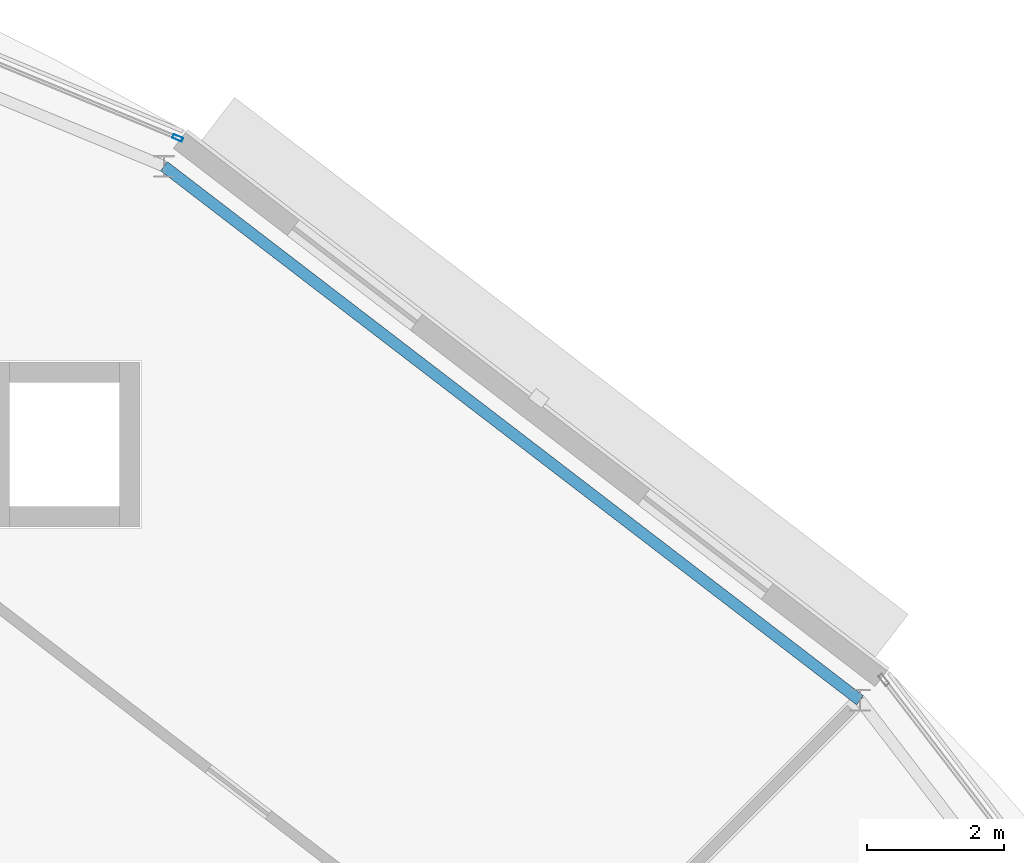
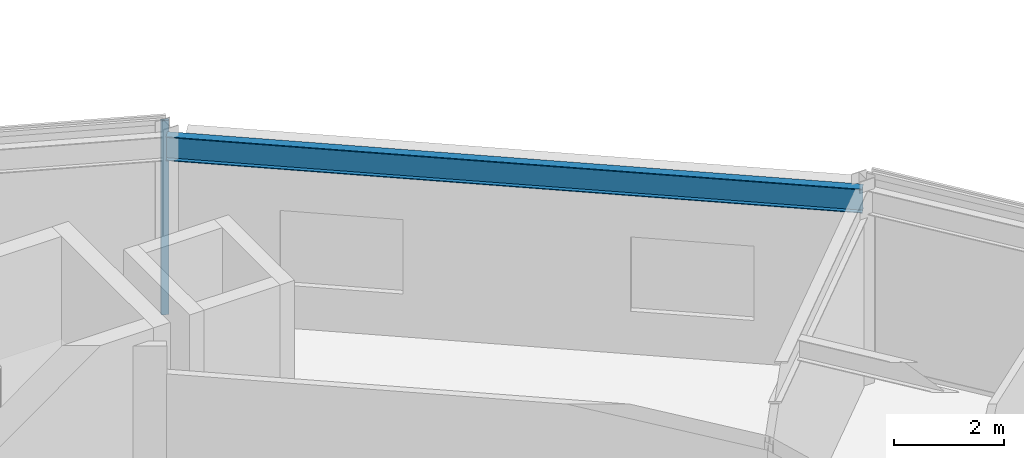
# One storey, part 43 of 89: 1 beam, 1 member, 1 element without a shape of its own.
"""IFC4 building model written with IfcOpenShell, lengths in metres."""

from ifc_helpers import new_model, si_unit, direction, frame, origin, origin_2d, place, context, subcontext, project, spatial, hollow_rectangle, i_section, extrude, material, material_profile, profile_set, type_object, element, aggregate, save


model = new_model("IFC4")

# Units and contexts
model_context = context("Model", 3, precision=1e-05, world=origin(), true_north=direction((0.0, 1.0)))
body_context = subcontext(model_context, "Body", "Model", "MODEL_VIEW")
ifc_project = project(units=[si_unit("LENGTHUNIT", "METRE"), si_unit("AREAUNIT", "SQUARE_METRE"), si_unit("VOLUMEUNIT", "CUBIC_METRE"), si_unit("PLANEANGLEUNIT", "RADIAN"), si_unit("MASSUNIT", "GRAM", prefix="KILO")], contexts=[model_context])

# Site, building, storey
site_placement = place(None, origin())
site = spatial("IfcSite", under=ifc_project, at=site_placement, CompositionType="ELEMENT")
building_placement = place(site_placement, origin())
building = spatial("IfcBuilding", under=site, at=building_placement, Name="Almandine Court Research Institute", CompositionType="ELEMENT")
storey_placement = place(building_placement, frame((0.0, 0.0, 18.89990234375)))
storey = spatial("IfcBuildingStorey", under=building, at=storey_placement, Name="L04", CompositionType="ELEMENT", Elevation=18.89990234375)

# Beam
ifc_material_1 = material(Name="Steel ASTM A992 Grade 50", Category="steel")
ifc_material_profile_1 = material_profile(ifc_material_1, i_section(OverallWidth=0.166015625, OverallDepth=0.534912109375, WebThickness=0.010009765625, FlangeThickness=0.01708984375, at=origin_2d()), Name="W530x85")
ifc_profile_set_1 = profile_set([ifc_material_profile_1], Name="Steel ASTM A992 Grade 50")
beam_type = type_object("IfcBeamType", Name="Beam-G-05-E", PredefinedType="SPANDREL", material=ifc_profile_set_1)
beam_placement = place(storey_placement, frame((121.577880859375, 90.577880859375, 4.041015625), z_axis=(-0.793360662587, 0.608751886289, 0.0), x_axis=(-0.608751886289, -0.793360662587, 0.0)))
element("IfcBeam", 1, at=beam_placement, inside=storey, type_object=beam_type, Name="L04 Drum OUT Ring Beam 03", PredefinedType="SPANDREL", context=body_context, shape_type="SweptSolid", body=[
    extrude(i_section(OverallWidth=0.166015625, OverallDepth=0.534912109375, WebThickness=0.010009765625, FlangeThickness=0.01708984375, at=origin_2d()), origin(), (0.0, 0.0, 1.0), 12.765869140625),
])

# Curtain wall, member
ifc_material_2 = material(Name="Unitised Curtain Wall Framing and Solar Glazing", Category="glass")
curtain_wall_type = type_object("IfcCurtainWallType", Name="CW-CWG-22", PredefinedType="USERDEFINED", material=ifc_material_2)
curtain_wall_placement = place(storey_placement, origin())
curtain_wall = element("IfcCurtainWall", 2, at=curtain_wall_placement, inside=storey, type_object=curtain_wall_type, Name="L04 Stacked-Ring Drum Outer Unitised Glazing 04", ObjectType="UNITISED GLAZING", PredefinedType="USERDEFINED")
ifc_material_3 = material(Name="Anodised Aluminium AW-6063-T6", Category="aluminium")
ifc_material_profile_2 = material_profile(ifc_material_3, hollow_rectangle(XDim=0.06005859375, YDim=0.14990234375, WallThickness=0.00390625, at=origin_2d()), Name="ALU RHS 60x150x4")
ifc_profile_set_2 = profile_set([ifc_material_profile_2], Name="Anodised Aluminium AW-6063-T6")
member_type = type_object("IfcMemberType", Name="CWMul-60x150", PredefinedType="MULLION", material=ifc_profile_set_2)
member_placement = place(storey_placement, frame((111.649169921875, 98.760498046875, 0.0), z_axis=(0.0, 0.0, 1.0), x_axis=(0.382662689242, 0.923888124321, 0.0)))
member = element("IfcMember", 3, at=member_placement, type_object=member_type, Name="CWG-22 mullion 4", PredefinedType="MULLION", context=body_context, shape_type="SweptSolid", body=[
    extrude(hollow_rectangle(XDim=0.06005859375, YDim=0.14990234375, WallThickness=0.00390625, at=origin_2d()), origin(), (0.0, 0.0, 1.0), 4.31005859375),
])
aggregate(curtain_wall, [member])

save(model, "model.ifc")
